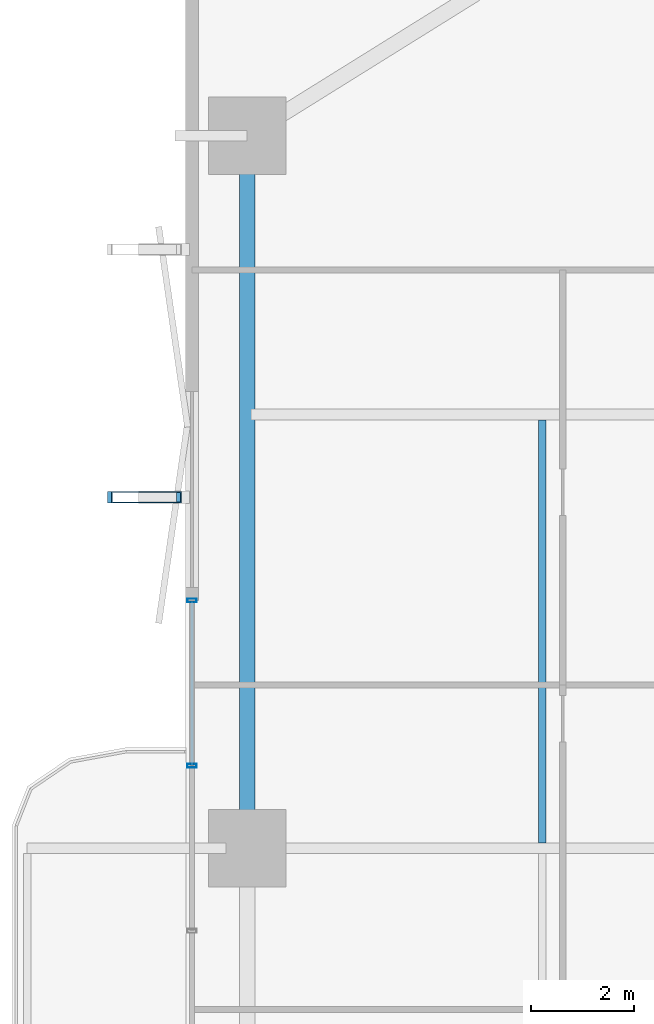
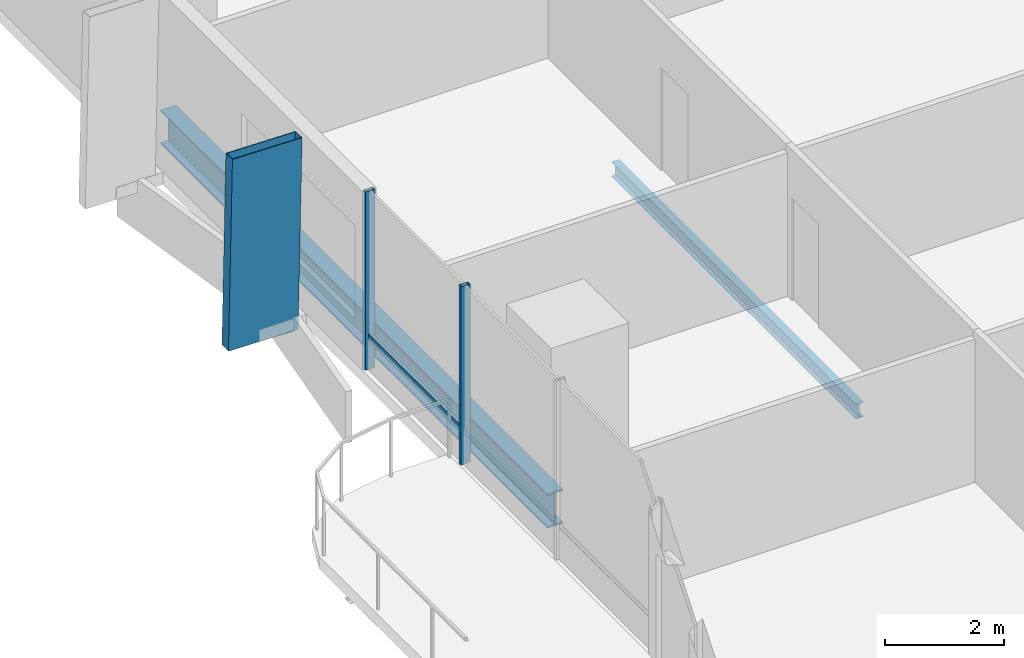
# One storey, part 9 of 24: 4 members, 2 beams, 1 element without a shape of its own.
"""IFC4 building model written with IfcOpenShell, lengths in metres."""

from ifc_helpers import new_model, si_unit, direction, frame, origin, origin_2d, place, context, subcontext, project, spatial, hollow_rectangle, i_section, extrude, material, layer, layer_set, material_profile, profile_set, type_object, element, aggregate, save


model = new_model("IFC4")

# Units and contexts
model_context = context("Model", 3, precision=1e-05, world=origin(), true_north=direction((0.0, 1.0)))
body_context = subcontext(model_context, "Body", "Model", "MODEL_VIEW")
ifc_project = project(units=[si_unit("LENGTHUNIT", "METRE"), si_unit("AREAUNIT", "SQUARE_METRE"), si_unit("VOLUMEUNIT", "CUBIC_METRE"), si_unit("PLANEANGLEUNIT", "RADIAN"), si_unit("MASSUNIT", "GRAM", prefix="KILO")], contexts=[model_context])

# Site, building, storey
site_placement = place(None, origin())
site = spatial("IfcSite", under=ifc_project, at=site_placement, CompositionType="ELEMENT")
building_placement = place(site_placement, origin())
building = spatial("IfcBuilding", under=site, at=building_placement, Name="Belovzor Exchange Tower", CompositionType="ELEMENT")
storey_placement = place(building_placement, frame((0.0, 0.0, 80.699951171875)))
storey = spatial("IfcBuildingStorey", under=building, at=storey_placement, Name="L19", CompositionType="ELEMENT", Elevation=80.699951171875)

# Member
ifc_material_1 = material(Name="Extruded Architectural Terracotta on Steel S355 Carrier", Category="masonry")
ifc_material_profile_1 = material_profile(ifc_material_1, hollow_rectangle(XDim=0.219970703125, YDim=1.35009765625, WallThickness=0.013916015625, at=origin_2d()))
ifc_profile_set_1 = profile_set([ifc_material_profile_1], Name="Extruded Architectural Terracotta on Steel S355 Carrier")
member_type_1 = type_object("IfcMemberType", Name="Base Arc Sweeping Terracotta Pylon Fin 1450", PredefinedType="USERDEFINED", material=ifc_profile_set_1)
member_1_placement = place(storey_placement, frame((0.072021484375, 35.60009765625, -0.25), z_axis=(0.019964721036, 0.0, 0.999800685094), x_axis=(0.0, 1.0, 0.0)))
element("IfcMember", 1, at=member_1_placement, inside=storey, type_object=member_type_1, Name="FIN-TC145 Terracotta Facade Fin L19 W3", ObjectType="FIN", PredefinedType="USERDEFINED", context=body_context, shape_type="SweptSolid", body=[
    extrude(hollow_rectangle(XDim=0.219970703125, YDim=1.35009765625, WallThickness=0.013916015625, at=origin_2d()), origin(), (0.0, 0.0, 1.0), 3.90087890625),
])

# Beam
ifc_material_2 = material(Name="Steel S355", Category="steel")
ifc_material_profile_2 = material_profile(ifc_material_2, i_section(OverallWidth=0.14990234375, OverallDepth=0.300048828125, WebThickness=0.007080078125, FlangeThickness=0.0107421875, at=origin_2d()))
ifc_profile_set_2 = profile_set([ifc_material_profile_2], Name="Steel S355")
beam_type_1 = type_object("IfcBeamType", Name="Secondary Trim Floor Joist IPE 300", PredefinedType="BEAM", material=ifc_profile_set_2)
beam_1_placement = place(storey_placement, frame((7.81494140625, 28.905029296875, -0.39990234375), z_axis=(0.0, 1.0, 0.0), x_axis=(-1.0, 0.0, 0.0)))
element("IfcBeam", 2, at=beam_1_placement, inside=storey, type_object=beam_type_1, Name="FJ-300 Secondary Trim Floor Joist IPE 300", PredefinedType="BEAM", context=body_context, shape_type="SweptSolid", body=[
    extrude(i_section(OverallWidth=0.14990234375, OverallDepth=0.300048828125, WebThickness=0.007080078125, FlangeThickness=0.0107421875, at=origin_2d()), origin(), (0.0, 0.0, 1.0), 8.18994140625),
])

# Curtain wall, members
ifc_material_3 = material(Name="Anodised Aluminium Framing", Category="aluminium")
ifc_layer = layer(ifc_material_3, 0.179931640625)
ifc_layer_set = layer_set([ifc_layer], Name="Anodised Aluminium Framing")
curtain_wall_type = type_object("IfcCurtainWallType", Name="Recessed Loggia Low-Iron Triple-Glazed Curtain Wall", PredefinedType="NOTDEFINED", material=ifc_layer_set)
curtain_wall_placement = place(storey_placement, origin())
curtain_wall = element("IfcCurtainWall", 3, at=curtain_wall_placement, inside=storey, type_object=curtain_wall_type, Name="CW3 Recessed Loggia Low-Iron Triple-Glazed Curtain Wall L19", PredefinedType="NOTDEFINED")
ifc_material_4 = material(Name="Steel S355", Category="steel")
ifc_material_profile_3 = material_profile(ifc_material_4, hollow_rectangle(XDim=0.074951171875, YDim=0.179931640625, WallThickness=0.0048828125, at=origin_2d()))
ifc_profile_set_3 = profile_set([ifc_material_profile_3], Name="Steel S355")
member_type_2 = type_object("IfcMemberType", Name="Thermally Broken Curtain Wall Mullion 180x75", PredefinedType="MULLION", material=ifc_profile_set_3)
member_2_placement = place(storey_placement, frame((1.030029296875, 30.39990234375, 0.0), z_axis=(0.0, 0.0, 1.0), x_axis=(0.0, 1.0, 0.0)))
member_2 = element("IfcMember", 4, at=member_2_placement, type_object=member_type_2, Name="CW-M180 Curtain Wall Mullion 3", PredefinedType="MULLION", context=body_context, shape_type="SweptSolid", body=[
    extrude(hollow_rectangle(XDim=0.074951171875, YDim=0.179931640625, WallThickness=0.0048828125, at=origin_2d()), origin(), (0.0, 0.0, 1.0), 3.650146484375),
])
member_3_placement = place(storey_placement, frame((1.030029296875, 33.60009765625, 0.0), z_axis=(0.0, 0.0, 1.0), x_axis=(0.0, 1.0, 0.0)))
member_3 = element("IfcMember", 5, at=member_3_placement, type_object=member_type_2, Name="CW-M180 Curtain Wall Mullion 4", PredefinedType="MULLION", context=body_context, shape_type="SweptSolid", body=[
    extrude(hollow_rectangle(XDim=0.074951171875, YDim=0.179931640625, WallThickness=0.0048828125, at=origin_2d()), origin(), (0.0, 0.0, 1.0), 3.650146484375),
])
ifc_material_5 = material(Name="Steel S355", Category="steel")
ifc_material_profile_4 = material_profile(ifc_material_5, hollow_rectangle(XDim=0.06005859375, YDim=0.14990234375, WallThickness=0.00390625, at=origin_2d()))
ifc_profile_set_4 = profile_set([ifc_material_profile_4], Name="Steel S355")
member_type_3 = type_object("IfcMemberType", Name="Thermally Broken Curtain Wall Transom 150x60", PredefinedType="USERDEFINED", material=ifc_profile_set_4)
member_4_placement = place(storey_placement, frame((1.030029296875, 30.407958984375, 0.650146484375), z_axis=(0.0, 1.0, 0.0), x_axis=(-1.0, 0.0, 0.0)))
member_4 = element("IfcMember", 6, at=member_4_placement, type_object=member_type_3, Name="CW-T150 Curtain Wall Transom 3", ObjectType="TRANSOM", PredefinedType="USERDEFINED", context=body_context, shape_type="SweptSolid", body=[
    extrude(hollow_rectangle(XDim=0.06005859375, YDim=0.14990234375, WallThickness=0.00390625, at=origin_2d()), origin(), (0.0, 0.0, 1.0), 3.18408203125),
])
aggregate(curtain_wall, [member_2, member_3, member_4])

# Beam
ifc_material_6 = material(Name="Steel S355", Category="steel")
ifc_material_profile_5 = material_profile(ifc_material_6, i_section(OverallWidth=0.300048828125, OverallDepth=0.699951171875, WebThickness=0.01708984375, FlangeThickness=0.031982421875, at=origin_2d()))
ifc_profile_set_5 = profile_set([ifc_material_profile_5], Name="Steel S355")
beam_type_2 = type_object("IfcBeamType", Name="Zone 1 Primary Perimeter Girder HEB 700", PredefinedType="BEAM", material=ifc_profile_set_5)
beam_2_placement = place(storey_placement, frame((2.10009765625, 42.18798828125, -0.599853515625), z_axis=(0.0, -1.0, 0.0), x_axis=(1.0, 0.0, 0.0)))
element("IfcBeam", 7, at=beam_2_placement, inside=storey, type_object=beam_type_2, Name="FG-Z1 Zone 1 Primary Perimeter Girder HEB 700", PredefinedType="BEAM", context=body_context, shape_type="SweptSolid", body=[
    extrude(i_section(OverallWidth=0.300048828125, OverallDepth=0.699951171875, WebThickness=0.01708984375, FlangeThickness=0.031982421875, at=origin_2d()), origin(), (0.0, 0.0, 1.0), 12.97509765625),
])

save(model, "model.ifc")
